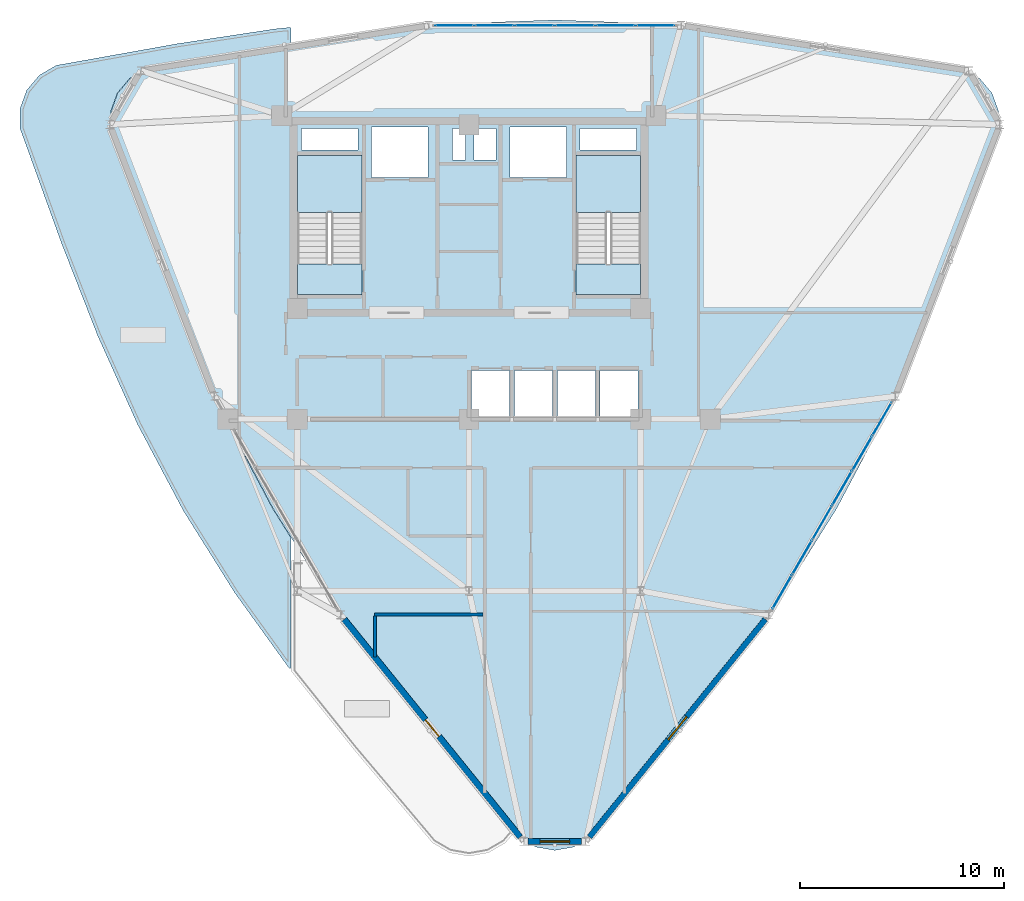
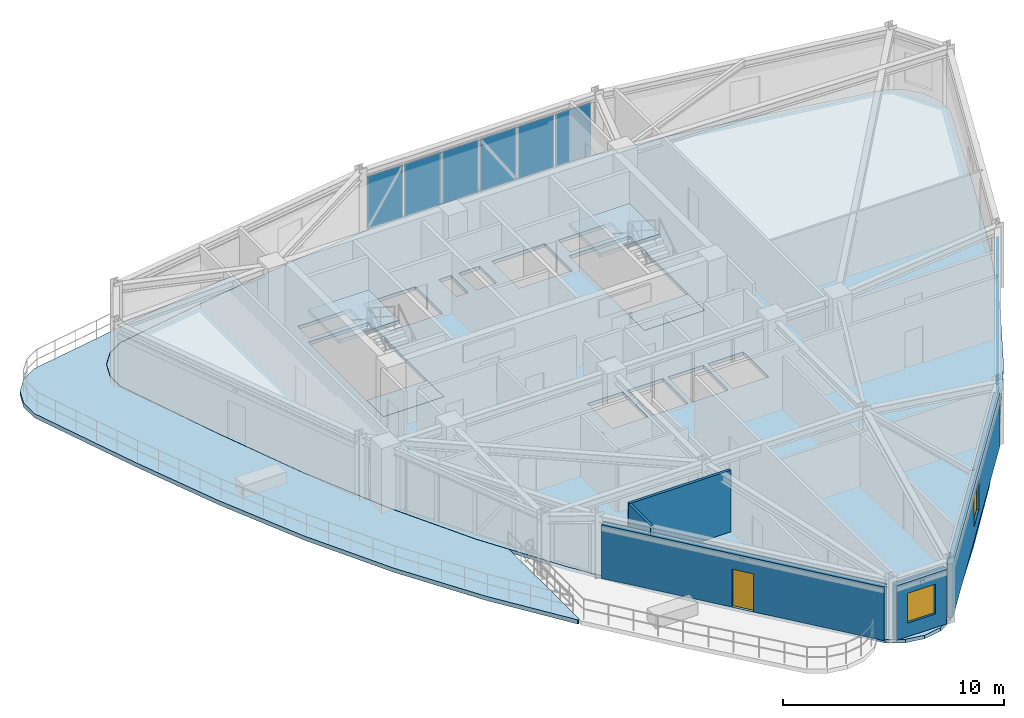
# One storey, part 13 of 19: 12 plates, 6 slabs, 5 walls, 2 windows, 1 door, 3 openings, 4 elements without a shape of their own.
"""IFC4 building model written with IfcOpenShell, lengths in metres."""

from ifc_helpers import new_model, si_unit, derived_unit, direction, frame, frame_2d, origin, origin_2d, place, context, subcontext, project, spatial, polyline, rectangle, outline, extrude, source, transform, mapped, material, layer, layer_set, type_object, element, fill, aggregate, save


model = new_model("IFC4")

# Units and contexts
model_context = context("Model", 3, precision=1e-05, world=origin(), true_north=direction((0.0, 1.0)))
body_context = subcontext(model_context, "Body", "Model", "MODEL_VIEW")
ifc_project = project(units=[si_unit("LENGTHUNIT", "METRE"), si_unit("AREAUNIT", "SQUARE_METRE"), si_unit("VOLUMEUNIT", "CUBIC_METRE"), si_unit("PLANEANGLEUNIT", "RADIAN"), si_unit("MASSUNIT", "GRAM", prefix="KILO"), derived_unit("THERMALTRANSMITTANCEUNIT", [(si_unit("POWERUNIT", "WATT"), 1), (si_unit("LENGTHUNIT", "METRE"), -2), (si_unit("THERMODYNAMICTEMPERATUREUNIT", "KELVIN"), -1)])], contexts=[model_context])

# Site, building, storey
site_placement = place(None, origin())
site = spatial("IfcSite", under=ifc_project, at=site_placement, CompositionType="ELEMENT")
building_placement = place(site_placement, origin())
building = spatial("IfcBuilding", under=site, at=building_placement, Name="Korsvarv Bourse and Concert Hall", CompositionType="ELEMENT")
storey_placement = place(building_placement, frame((0.0, 0.0, 205.800048828125)))
storey = spatial("IfcBuildingStorey", under=building, at=storey_placement, Name="L53", CompositionType="ELEMENT", Elevation=205.800048828125)

# Slabs
ifc_material_1 = material(Name="Precast concrete C45/55", Category="concrete")
ifc_layer_1 = layer(ifc_material_1, 0.199951171875)
ifc_layer_set_1 = layer_set([ifc_layer_1], Name="Precast concrete C45/55")
slab_type_1 = type_object("IfcSlabType", Name="SLB-FLND-T", PredefinedType="LANDING", material=ifc_layer_set_1)
slab_1_placement = place(storey_placement, frame((0.0, 0.0, -0.199951171875)))
element("IfcSlab", 1, at=slab_1_placement, inside=storey, type_object=slab_type_1, Name="L53 Stair ST-T1 Floor Landing Slab", PredefinedType="LANDING", context=body_context, shape_type="SweptSolid", body=[
    extrude(outline(polyline([(30.760009765625, 38.5), (30.760009765625, 40.0), (27.60009765625, 40.0), (27.60009765625, 38.5), (30.760009765625, 38.5)])), origin(), (0.0, 0.0, 1.0), 0.199951171875),
])
slab_2_placement = place(storey_placement, frame((0.0, 0.0, -0.199951171875)))
element("IfcSlab", 2, at=slab_2_placement, inside=storey, type_object=slab_type_1, Name="L53 Stair ST-T2 Floor Landing Slab", PredefinedType="LANDING", context=body_context, shape_type="SweptSolid", body=[
    extrude(outline(polyline([(44.39990234375, 38.5), (44.39990234375, 40.0), (41.239990234375, 40.0), (41.239990234375, 38.5), (44.39990234375, 38.5)])), origin(), (0.0, 0.0, 1.0), 0.199951171875),
])
ifc_material_2 = material(Name="Concrete C45/55", Category="concrete")
ifc_layer_2 = layer(ifc_material_2, 0.22998046875)
ifc_layer_set_2 = layer_set([ifc_layer_2], Name="Concrete C45/55")
slab_type_2 = type_object("IfcSlabType", Name="SLB-SKY", PredefinedType="FLOOR", material=ifc_layer_set_2)
slab_3_placement = place(storey_placement, frame((0.0, 0.0, -0.22998046875)))
element("IfcSlab", 3, at=slab_3_placement, inside=storey, type_object=slab_type_2, Name="L53 Crescent Sky Garden Terrace 1", PredefinedType="FLOOR", context=body_context, shape_type="SweptSolid", body=[
    extrude(outline(polyline([(18.485595703125, 46.5380859375), (18.485595703125, 46.537353515625), (18.85693359375, 45.517333984375), (18.85693359375, 45.51708984375), (18.857666015625, 45.515380859375), (18.857666015625, 45.515380859375), (20.49951171875, 40.973388671875), (20.49951171875, 40.972900390625), (20.49951171875, 40.97265625), (22.2451171875, 36.515625), (22.245361328125, 36.51513671875), (22.24560546875, 36.514404296875), (24.18994140625, 32.192626953125), (24.190185546875, 32.19189453125), (24.190673828125, 32.191162109375), (26.3984375, 28.03271484375), (26.398681640625, 28.031982421875), (26.3994140625, 28.031005859375), (27.291015625, 26.606201171875), (27.293701171875, 26.601318359375), (27.2958984375, 26.59619140625), (27.297607421875, 26.591064453125), (27.299072265625, 26.585693359375), (27.2998046875, 26.580078125), (27.300048828125, 26.574462890625), (27.300048828125, 20.26513671875), (27.2998046875, 20.259521484375), (27.298828125, 20.253662109375), (27.297607421875, 20.248046875), (27.295654296875, 20.242431640625), (27.293212890625, 20.2373046875), (27.290283203125, 20.232421875), (27.28662109375, 20.2275390625), (27.282958984375, 20.22314453125), (27.278564453125, 20.21923828125), (27.27392578125, 20.2158203125), (27.26904296875, 20.212646484375), (27.263916015625, 20.210205078125), (27.25830078125, 20.2080078125), (27.252685546875, 20.20654296875), (27.2470703125, 20.20556640625), (27.2412109375, 20.205078125), (27.235595703125, 20.205322265625), (27.229736328125, 20.2060546875), (27.22412109375, 20.207275390625), (27.218505859375, 20.208984375), (27.21337890625, 20.21142578125), (27.208251953125, 20.21435546875), (27.203369140625, 20.217529296875), (27.198974609375, 20.221435546875), (27.195068359375, 20.2255859375), (27.19140625, 20.22998046875), (24.54443359375, 23.90087890625), (24.54248046875, 23.904296875), (22.023681640625, 27.928466796875), (22.021728515625, 27.93212890625), (19.7958984375, 32.125244140625), (19.794189453125, 32.12890625), (17.83447265625, 36.48779296875), (17.83349609375, 36.490478515625), (16.07421875, 40.986572265625), (16.07373046875, 40.98779296875), (14.419189453125, 45.57080078125), (14.41845703125, 45.5732421875), (14.039794921875, 46.61376953125), (14.0380859375, 46.61865234375), (14.037109375, 46.623779296875), (14.036376953125, 46.62890625), (14.0361328125, 46.63427734375), (14.0361328125, 47.575439453125), (14.036376953125, 47.580810546875), (14.037109375, 47.5859375), (14.0380859375, 47.591064453125), (14.039794921875, 47.595947265625), (14.36181640625, 48.480712890625), (14.364013671875, 48.485595703125), (14.3662109375, 48.490234375), (14.369140625, 48.49462890625), (14.372314453125, 48.498779296875), (14.977294921875, 49.219970703125), (14.98095703125, 49.223876953125), (14.98486328125, 49.227294921875), (14.989013671875, 49.230712890625), (14.993408203125, 49.2333984375), (15.80859375, 49.7041015625), (15.813232421875, 49.70654296875), (15.818115234375, 49.70849609375), (15.822998046875, 49.710205078125), (15.828125, 49.711181640625), (16.91845703125, 49.903564453125), (16.918701171875, 49.903564453125), (16.9208984375, 49.904052734375), (21.71728515625, 50.7626953125), (21.71875, 50.762939453125), (26.491943359375, 51.487548828125), (26.494873046875, 51.488037109375), (27.23388671875, 51.56298828125), (27.23974609375, 51.563232421875), (27.24560546875, 51.56298828125), (27.251708984375, 51.56201171875), (27.25732421875, 51.560791015625), (27.2626953125, 51.55859375), (27.268310546875, 51.55615234375), (27.273193359375, 51.55322265625), (27.278076171875, 51.5498046875), (27.282470703125, 51.545654296875), (27.286376953125, 51.54150390625), (27.289794921875, 51.53662109375), (27.29296875, 51.531494140625), (27.29541015625, 51.526123046875), (27.29736328125, 51.520751953125), (27.298828125, 51.514892578125), (27.2998046875, 51.509033203125), (27.300048828125, 51.503173828125), (27.300048828125, 50.816650390625), (27.2998046875, 50.810546875), (27.298828125, 50.8046875), (27.297119140625, 50.798583984375), (27.295166015625, 50.79296875), (27.29248046875, 50.78759765625), (27.289306640625, 50.782470703125), (27.285400390625, 50.777587890625), (27.28125, 50.773193359375), (27.276611328125, 50.769287109375), (27.271728515625, 50.765625), (27.266357421875, 50.7626953125), (27.2607421875, 50.760498046875), (27.2548828125, 50.758544921875), (27.2490234375, 50.75732421875), (26.04345703125, 50.57470703125), (26.043212890625, 50.57470703125), (26.042724609375, 50.57470703125), (21.288330078125, 49.72509765625), (21.2880859375, 49.72509765625), (21.286376953125, 49.724853515625), (21.2861328125, 49.724853515625), (20.217041015625, 49.536376953125), (20.216552734375, 49.5361328125), (20.215087890625, 49.535888671875), (20.21435546875, 49.53564453125), (20.213134765625, 49.534912109375), (20.212646484375, 49.53466796875), (19.407470703125, 49.06982421875), (19.406982421875, 49.069580078125), (19.40576171875, 49.06884765625), (19.405029296875, 49.068115234375), (19.404296875, 49.067138671875), (19.40380859375, 49.06689453125), (18.80615234375, 48.3544921875), (18.805908203125, 48.35400390625), (18.804931640625, 48.35302734375), (18.804443359375, 48.352294921875), (18.803955078125, 48.35107421875), (18.8037109375, 48.350341796875), (18.485595703125, 47.476806640625), (18.485595703125, 47.47607421875), (18.485107421875, 47.474853515625), (18.485107421875, 47.473876953125), (18.48486328125, 47.47265625), (18.48486328125, 47.471923828125), (18.48486328125, 46.5419921875), (18.48486328125, 46.54150390625), (18.485107421875, 46.540283203125), (18.485107421875, 46.539306640625), (18.485595703125, 46.5380859375)])), origin(), (0.0, 0.0, 1.0), 0.22998046875),
])

# Stair, slab
stair_type = type_object("IfcStairType", Name="STR-TYPE-04", PredefinedType="HALF_TURN_STAIR", material=ifc_material_1)
stair_1_placement = place(storey_placement, origin())
stair_1 = element("IfcStair", 4, at=stair_1_placement, inside=storey, type_object=stair_type, Name="L53 Tower West Exit Stair ST-T1", PredefinedType="HALF_TURN_STAIR")
ifc_layer_3 = layer(ifc_material_1, 0.199951171875)
ifc_layer_set_3 = layer_set([ifc_layer_3], Name="Precast concrete C45/55")
slab_type_3 = type_object("IfcSlabType", Name="SLB-ST-LND", PredefinedType="LANDING", material=ifc_layer_set_3)
slab_4_placement = place(storey_placement, frame((0.0, 0.0, 1.599853515625)))
slab_4 = element("IfcSlab", 5, at=slab_4_placement, type_object=slab_type_3, Name="ST-T1 landing 1", PredefinedType="LANDING", context=body_context, shape_type="SweptSolid", body=[
    extrude(outline(polyline([(30.760009765625, 42.52001953125), (30.760009765625, 45.300048828125), (27.60009765625, 45.300048828125), (27.60009765625, 42.52001953125), (30.760009765625, 42.52001953125)])), origin(), (0.0, 0.0, 1.0), 0.2001953125),
])
aggregate(stair_1, [slab_4])

stair_2_placement = place(storey_placement, origin())
stair_2 = element("IfcStair", 6, at=stair_2_placement, inside=storey, type_object=stair_type, Name="L53 Tower East Exit Stair ST-T2", PredefinedType="HALF_TURN_STAIR")
slab_5_placement = place(storey_placement, frame((0.0, 0.0, 1.599853515625)))
slab_5 = element("IfcSlab", 7, at=slab_5_placement, type_object=slab_type_3, Name="ST-T2 landing 1", PredefinedType="LANDING", context=body_context, shape_type="SweptSolid", body=[
    extrude(outline(polyline([(44.39990234375, 42.52001953125), (44.39990234375, 45.300048828125), (41.239990234375, 45.300048828125), (41.239990234375, 42.52001953125), (44.39990234375, 42.52001953125)])), origin(), (0.0, 0.0, 1.0), 0.2001953125),
])
aggregate(stair_2, [slab_5])

# Slab
ifc_layer_4 = layer(ifc_material_2, 0.18994140625)
ifc_layer_set_4 = layer_set([ifc_layer_4], Name="Concrete C45/55")
slab_type_4 = type_object("IfcSlabType", Name="SLB-TW3", PredefinedType="FLOOR", material=ifc_layer_set_4)
slab_6_placement = place(storey_placement, frame((0.0, 0.0, -0.18994140625)))
element("IfcSlab", 8, at=slab_6_placement, inside=storey, type_object=slab_type_4, Name="L53 tower structural floor slab", PredefinedType="FLOOR", context=body_context, shape_type="SweptSolid", body=[
    extrude(outline(polyline([(61.532958984375, 45.518798828125), (59.89111328125, 40.9765625), (58.1455078125, 36.51904296875), (56.20068359375, 32.1962890625), (53.992431640625, 28.036865234375), (51.49462890625, 24.044921875), (48.723388671875, 20.199462890625), (45.73583984375, 16.458740234375), (42.622802734375, 12.765869140625), (42.62158203125, 12.764404296875), (41.92333984375, 11.93212890625), (41.116943359375, 11.466552734375), (40.199951171875, 11.304931640625), (39.282958984375, 11.466552734375), (38.476806640625, 11.93212890625), (37.7783203125, 12.764404296875), (37.777099609375, 12.765869140625), (34.6640625, 16.458740234375), (31.6767578125, 20.199462890625), (28.905517578125, 24.044921875), (26.407470703125, 28.036865234375), (24.19921875, 32.1962890625), (22.254638671875, 36.51904296875), (20.5087890625, 40.9765625), (18.8671875, 45.518798828125), (18.866455078125, 45.520751953125), (18.494873046875, 46.54150390625), (18.494873046875, 47.47265625), (18.8134765625, 48.34765625), (19.411865234375, 49.060791015625), (20.21826171875, 49.5263671875), (21.2880859375, 49.715087890625), (21.2900390625, 49.71533203125), (26.044677734375, 50.56494140625), (30.77783203125, 51.28173828125), (35.493896484375, 51.759033203125), (40.199951171875, 51.926025390625), (44.90625, 51.759033203125), (49.6220703125, 51.28173828125), (54.355224609375, 50.56494140625), (59.110107421875, 49.71533203125), (59.112060546875, 49.715087890625), (60.181884765625, 49.5263671875), (60.988037109375, 49.060791015625), (61.586669921875, 48.34765625), (61.905029296875, 47.47265625), (61.905029296875, 46.54150390625), (61.53369140625, 45.520751953125), (61.532958984375, 45.518798828125)]), holes=[polyline([(30.760009765625, 38.5), (30.760009765625, 45.300048828125), (27.60009765625, 45.300048828125), (27.60009765625, 38.5), (30.760009765625, 38.5)]), polyline([(44.39990234375, 38.5), (44.39990234375, 45.300048828125), (41.239990234375, 45.300048828125), (41.239990234375, 38.5), (44.39990234375, 38.5)]), polyline([(31.239990234375, 44.219970703125), (34.0, 44.219970703125), (34.0, 46.679931640625), (31.239990234375, 46.679931640625), (31.239990234375, 44.219970703125)]), polyline([(38.0, 44.219970703125), (40.760009765625, 44.219970703125), (40.760009765625, 46.679931640625), (38.0, 46.679931640625), (38.0, 44.219970703125)]), polyline([(36.1201171875, 32.52001953125), (37.97998046875, 32.52001953125), (37.97998046875, 34.780029296875), (36.1201171875, 34.780029296875), (36.1201171875, 32.52001953125)]), polyline([(38.219970703125, 32.52001953125), (40.080078125, 32.52001953125), (40.080078125, 34.780029296875), (38.219970703125, 34.780029296875), (38.219970703125, 32.52001953125)]), polyline([(40.320068359375, 32.52001953125), (42.179931640625, 32.52001953125), (42.179931640625, 34.780029296875), (40.320068359375, 34.780029296875), (40.320068359375, 32.52001953125)]), polyline([(42.419921875, 32.52001953125), (44.280029296875, 32.52001953125), (44.280029296875, 34.780029296875), (42.419921875, 34.780029296875), (42.419921875, 32.52001953125)]), polyline([(27.800048828125, 45.56005859375), (30.56005859375, 45.56005859375), (30.56005859375, 46.6201171875), (27.800048828125, 46.6201171875), (27.800048828125, 45.56005859375)]), polyline([(41.43994140625, 45.56005859375), (44.199951171875, 45.56005859375), (44.199951171875, 46.6201171875), (41.43994140625, 46.6201171875), (41.43994140625, 45.56005859375)]), polyline([(35.199951171875, 45.080078125), (35.840087890625, 45.080078125), (35.840087890625, 46.6201171875), (35.199951171875, 46.6201171875), (35.199951171875, 45.080078125)]), polyline([(36.239990234375, 45.080078125), (37.320068359375, 45.080078125), (37.320068359375, 46.6201171875), (36.239990234375, 46.6201171875), (36.239990234375, 45.080078125)])]), origin(), (0.0, 0.0, 1.0), 0.18994140625),
])

# Curtain wall, plates
ifc_material_3 = material(Name="Anodised aluminium and triple low-E glazing", Category="glass")
ifc_layer_5 = layer(ifc_material_3, 0.199951171875)
ifc_layer_set_5 = layer_set([ifc_layer_5], Name="Anodised aluminium and triple low-E glazing")
curtain_wall_type = type_object("IfcCurtainWallType", Name="CW-SYS-3", PredefinedType="NOTDEFINED", material=ifc_layer_set_5)
curtain_wall_1_placement = place(storey_placement, origin())
curtain_wall_1 = element("IfcCurtainWall", 9, at=curtain_wall_1_placement, inside=storey, type_object=curtain_wall_type, Name="L53 CW3 curtain wall CW-L53-F03", PredefinedType="NOTDEFINED")
ifc_material_4 = material(Name="Tempered triple insulated low-E architectural glass", Category="glass")
ifc_layer_6 = layer(ifc_material_4, 0.0380859375)
ifc_layer_set_6 = layer_set([ifc_layer_6], Name="Tempered triple insulated low-E architectural glass")
plate_type_1 = type_object("IfcPlateType", Name="CWP-VIS2", PredefinedType="CURTAIN_PANEL", material=ifc_layer_set_6)
shared_shape_1 = source(origin(), body_context, "Body", "SweptSolid", [
    extrude(rectangle(XDim=1.86962890625, YDim=0.0380859375, at=origin_2d()), origin(), (0.0, 0.0, 1.0), 2.889892578125),
])
plate_1_placement = place(storey_placement, frame((45.118896484375, 51.66162109375, 0.06494140625), z_axis=(0.0, 0.0, 1.0), x_axis=(-1.0, 0.0, 0.0)))
plate_1 = element("IfcPlate", 10, at=plate_1_placement, type_object=plate_type_1, Name="CW3 faceted panel 1.1", PredefinedType="CURTAIN_PANEL", context=body_context, shape_type="MappedRepresentation", body=[
    mapped(shared_shape_1, transform((0.0, 0.0, 0.0), scale=1.0)),
])
shared_shape_2 = source(origin(), body_context, "Body", "SweptSolid", [
    extrude(rectangle(XDim=1.904541015625, YDim=0.0380859375, at=origin_2d()), origin(), (0.0, 0.0, 1.0), 2.889892578125),
])
plate_2_placement = place(storey_placement, frame((43.161865234375, 51.66162109375, 0.06494140625), z_axis=(0.0, 0.0, 1.0), x_axis=(-1.0, 0.0, 0.0)))
plate_2 = element("IfcPlate", 11, at=plate_2_placement, type_object=plate_type_1, Name="CW3 faceted panel 2.1", PredefinedType="CURTAIN_PANEL", context=body_context, shape_type="MappedRepresentation", body=[
    mapped(shared_shape_2, transform((0.0, 0.0, 0.0), scale=1.0)),
])
plate_3_placement = place(storey_placement, frame((39.212646484375, 51.66162109375, 0.06494140625), z_axis=(0.0, 0.0, 1.0), x_axis=(-1.0, 0.0, 0.0)))
plate_3 = element("IfcPlate", 12, at=plate_3_placement, type_object=plate_type_1, Name="CW3 faceted panel 4.1", PredefinedType="CURTAIN_PANEL", context=body_context, shape_type="MappedRepresentation", body=[
    mapped(shared_shape_2, transform((0.0, 0.0, 0.0), scale=1.0)),
])
plate_4_placement = place(storey_placement, frame((37.238037109375, 51.66162109375, 0.06494140625), z_axis=(0.0, 0.0, 1.0), x_axis=(-1.0, 0.0, 0.0)))
plate_4 = element("IfcPlate", 13, at=plate_4_placement, type_object=plate_type_1, Name="CW3 faceted panel 5.1", PredefinedType="CURTAIN_PANEL", context=body_context, shape_type="MappedRepresentation", body=[
    mapped(shared_shape_2, transform((0.0, 0.0, 0.0), scale=1.0)),
])
ifc_material_5 = material(Name="Insulated spandrel glass", Category="glass")
ifc_layer_7 = layer(ifc_material_5, 0.031982421875)
ifc_layer_set_7 = layer_set([ifc_layer_7], Name="Insulated spandrel glass")
plate_type_2 = type_object("IfcPlateType", Name="CWP-SPD1", PredefinedType="CURTAIN_PANEL", material=ifc_layer_set_7)
shared_shape_3 = source(origin(), body_context, "Body", "SweptSolid", [
    extrude(rectangle(XDim=1.904541015625, YDim=0.031982421875, at=origin_2d()), origin(), (0.0, 0.0, 1.0), 2.889892578125),
])
plate_5_placement = place(storey_placement, frame((41.187255859375, 51.66162109375, 0.06494140625), z_axis=(0.0, 0.0, 1.0), x_axis=(-1.0, 0.0, 0.0)))
plate_5 = element("IfcPlate", 14, at=plate_5_placement, type_object=plate_type_2, Name="CW3 spandrel shadow-box panel 3.1", PredefinedType="CURTAIN_PANEL", context=body_context, shape_type="MappedRepresentation", body=[
    mapped(shared_shape_3, transform((0.0, 0.0, 0.0), scale=1.0)),
])
shared_shape_4 = source(origin(), body_context, "Body", "SweptSolid", [
    extrude(rectangle(XDim=1.86962890625, YDim=0.031982421875, at=origin_2d()), origin(), (0.0, 0.0, 1.0), 2.889892578125),
])
plate_6_placement = place(storey_placement, frame((35.281005859375, 51.66162109375, 0.06494140625), z_axis=(0.0, 0.0, 1.0), x_axis=(-1.0, 0.0, 0.0)))
plate_6 = element("IfcPlate", 15, at=plate_6_placement, type_object=plate_type_2, Name="CW3 spandrel shadow-box panel 6.1", PredefinedType="CURTAIN_PANEL", context=body_context, shape_type="MappedRepresentation", body=[
    mapped(shared_shape_4, transform((0.0, 0.0, 0.0), scale=1.0)),
])
aggregate(curtain_wall_1, [plate_1, plate_2, plate_5, plate_3, plate_4, plate_6])

curtain_wall_2_placement = place(storey_placement, origin())
curtain_wall_2 = element("IfcCurtainWall", 16, at=curtain_wall_2_placement, inside=storey, type_object=curtain_wall_type, Name="L53 CW3 curtain wall CW-L53-F11", PredefinedType="NOTDEFINED")
shared_shape_5 = source(origin(), body_context, "Body", "SweptSolid", [
    extrude(rectangle(XDim=1.8544921875, YDim=0.0380859375, at=origin_2d()), origin(), (0.0, 0.0, 1.0), 2.889892578125),
])
plate_7_placement = place(storey_placement, frame((51.32275390625, 23.941650390625, 0.06494140625), z_axis=(0.0, 0.0, 1.0), x_axis=(0.499996577961, 0.86602737949, 0.0)))
plate_7 = element("IfcPlate", 17, at=plate_7_placement, type_object=plate_type_1, Name="CW3 faceted panel 1.1", PredefinedType="CURTAIN_PANEL", context=body_context, shape_type="MappedRepresentation", body=[
    mapped(shared_shape_5, transform((0.0, 0.0, 0.0), scale=1.0)),
])
shared_shape_6 = source(origin(), body_context, "Body", "SweptSolid", [
    extrude(rectangle(XDim=1.8896484375, YDim=0.0380859375, at=origin_2d()), origin(), (0.0, 0.0, 1.0), 2.889892578125),
])
plate_8_placement = place(storey_placement, frame((52.293701171875, 25.62353515625, 0.06494140625), z_axis=(0.0, 0.0, 1.0), x_axis=(0.499996577961, 0.86602737949, 0.0)))
plate_8 = element("IfcPlate", 18, at=plate_8_placement, type_object=plate_type_1, Name="CW3 faceted panel 2.1", PredefinedType="CURTAIN_PANEL", context=body_context, shape_type="MappedRepresentation", body=[
    mapped(shared_shape_6, transform((0.0, 0.0, 0.0), scale=1.0)),
])
plate_9_placement = place(storey_placement, frame((54.25341796875, 29.017578125, 0.06494140625), z_axis=(0.0, 0.0, 1.0), x_axis=(0.499996577961, 0.86602737949, 0.0)))
plate_9 = element("IfcPlate", 19, at=plate_9_placement, type_object=plate_type_1, Name="CW3 faceted panel 4.1", PredefinedType="CURTAIN_PANEL", context=body_context, shape_type="MappedRepresentation", body=[
    mapped(shared_shape_6, transform((0.0, 0.0, 0.0), scale=1.0)),
])
plate_10_placement = place(storey_placement, frame((55.233154296875, 30.71484375, 0.06494140625), z_axis=(0.0, 0.0, 1.0), x_axis=(0.499996577961, 0.86602737949, 0.0)))
plate_10 = element("IfcPlate", 20, at=plate_10_placement, type_object=plate_type_1, Name="CW3 faceted panel 5.1", PredefinedType="CURTAIN_PANEL", context=body_context, shape_type="MappedRepresentation", body=[
    mapped(shared_shape_6, transform((0.0, 0.0, 0.0), scale=1.0)),
])
shared_shape_7 = source(origin(), body_context, "Body", "SweptSolid", [
    extrude(rectangle(XDim=1.8896484375, YDim=0.031982421875, at=origin_2d()), origin(), (0.0, 0.0, 1.0), 2.889892578125),
])
plate_11_placement = place(storey_placement, frame((53.2734375, 27.320556640625, 0.06494140625), z_axis=(0.0, 0.0, 1.0), x_axis=(0.499996577961, 0.86602737949, 0.0)))
plate_11 = element("IfcPlate", 21, at=plate_11_placement, type_object=plate_type_2, Name="CW3 spandrel shadow-box panel 3.1", PredefinedType="CURTAIN_PANEL", context=body_context, shape_type="MappedRepresentation", body=[
    mapped(shared_shape_7, transform((0.0, 0.0, 0.0), scale=1.0)),
])
shared_shape_8 = source(origin(), body_context, "Body", "SweptSolid", [
    extrude(rectangle(XDim=1.8544921875, YDim=0.031982421875, at=origin_2d()), origin(), (0.0, 0.0, 1.0), 2.889892578125),
])
plate_12_placement = place(storey_placement, frame((56.2041015625, 32.396728515625, 0.06494140625), z_axis=(0.0, 0.0, 1.0), x_axis=(0.499996577961, 0.86602737949, 0.0)))
plate_12 = element("IfcPlate", 22, at=plate_12_placement, type_object=plate_type_2, Name="CW3 spandrel shadow-box panel 6.1", PredefinedType="CURTAIN_PANEL", context=body_context, shape_type="MappedRepresentation", body=[
    mapped(shared_shape_8, transform((0.0, 0.0, 0.0), scale=1.0)),
])
aggregate(curtain_wall_2, [plate_7, plate_8, plate_11, plate_9, plate_10, plate_12])

# Wall, opening, door
ifc_material_6 = material(Name="Precast concrete C45/55 with terracotta rainscreen", Category="concrete")
ifc_layer_8 = layer(ifc_material_6, 0.300048828125)
ifc_layer_set_8 = layer_set([ifc_layer_8], Name="Precast concrete C45/55 with terracotta rainscreen")
wall_type_1 = type_object("IfcWallType", Name="WL-EXT-TC1", PredefinedType="SOLIDWALL", material=ifc_layer_set_8)
wall_1_placement = place(storey_placement, frame((29.89697265625, 22.60693359375, 0.0), z_axis=(0.0, 0.0, 1.0), x_axis=(0.628534993718, -0.777781307098, 0.0)))
wall_1 = element("IfcWall", 23, at=wall_1_placement, inside=storey, type_object=wall_type_1, Name="L53 terracotta exterior wall EW-L53-B08", PredefinedType="SOLIDWALL", context=body_context, shape_type="SweptSolid", body=[
    extrude(rectangle(XDim=13.69677734375, YDim=0.300048828125, at=frame_2d((6.848388671875, 0.0))), origin(), (0.0, 0.0, 1.0), 2.9599609375),
])
opening_1_placement = place(wall_1_placement, frame((6.323486328125, 0.0, 0.0)))
opening_1 = element("IfcOpeningElement", 24, at=opening_1_placement, cuts=wall_1, Name="Opening ED-02", PredefinedType="OPENING", context=body_context, shape_type="SweptSolid", body=[
    extrude(rectangle(XDim=1.050048828125, YDim=2.10009765625, at=frame_2d((0.52490234375, 1.050048828125))), frame((0.0, 0.16015625, 0.0), z_axis=(0.0, -1.0, 0.0), x_axis=(1.0, 0.0, 0.0)), (0.0, 0.0, 1.0), 0.320068359375),
])
ifc_material_7 = material(Name="Thermally broken anodised aluminium and laminated safety glass", Category="aluminium")
door_type = type_object("IfcDoorType", Name="DR-EXT-TERR", OperationType="NOTDEFINED", PredefinedType="DOOR", material=ifc_material_7)
door_placement = place(opening_1_placement, frame((1.050048828125, 0.0, 0.0), z_axis=(0.0, 0.0, 1.0), x_axis=(-1.0, 0.0, 0.0)))
door = element("IfcDoor", 25, at=door_placement, inside=storey, type_object=door_type, Name="L53 Sky Garden Terrace Access Door", OperationType="SINGLE_SWING_LEFT", OverallHeight=2.10009765625, OverallWidth=1.050048828125, PredefinedType="DOOR", context=body_context, shape_type="SweptSolid", body=[
    extrude(rectangle(XDim=1.050048828125, YDim=2.10009765625, at=frame_2d((0.52490234375, 1.050048828125))), frame((0.0, 0.02490234375, 0.0), z_axis=(0.0, -1.0, 0.0), x_axis=(1.0, 0.0, 0.0)), (0.0, 0.0, 1.0), 0.050048828125),
])
fill(opening_1, door)

# Wall, opening, window
wall_2_placement = place(storey_placement, frame((38.885986328125, 11.74072265625, 0.0), z_axis=(0.0, 0.0, 1.0), x_axis=(1.0, 0.0, 0.0)))
wall_2 = element("IfcWall", 26, at=wall_2_placement, inside=storey, type_object=wall_type_1, Name="L53 terracotta exterior wall EW-L53-B09", PredefinedType="SOLIDWALL", context=body_context, shape_type="SweptSolid", body=[
    extrude(rectangle(XDim=2.628173828125, YDim=0.300048828125, at=frame_2d((1.31396484375, 0.0))), origin(), (0.0, 0.0, 1.0), 3.02001953125),
])
opening_2_placement = place(wall_2_placement, frame((0.589111328125, 0.0, 0.75)))
opening_2 = element("IfcOpeningElement", 27, at=opening_2_placement, cuts=wall_2, Name="Opening W-02", PredefinedType="OPENING", context=body_context, shape_type="SweptSolid", body=[
    extrude(rectangle(XDim=1.449951171875, YDim=1.64990234375, at=frame_2d((0.72509765625, 0.824951171875))), frame((0.0, 0.16015625, 0.0), z_axis=(0.0, -1.0, 0.0), x_axis=(1.0, 0.0, 0.0)), (0.0, 0.0, 1.0), 0.320068359375),
])
ifc_material_8 = material(Name="Thermally broken aluminium frame with triple low-E glass", Category="glass")
window_type = type_object("IfcWindowType", Name="WIN-TW2", PartitioningType="SINGLE_PANEL", PredefinedType="WINDOW", material=ifc_material_8)
window_1_placement = place(opening_2_placement, origin())
window_1 = element("IfcWindow", 28, at=window_1_placement, inside=storey, type_object=window_type, Name="L53 punched facade window W-02", OverallHeight=1.64990234375, OverallWidth=1.449951171875, PartitioningType="SINGLE_PANEL", PredefinedType="WINDOW", context=body_context, shape_type="SweptSolid", body=[
    extrude(rectangle(XDim=1.449951171875, YDim=1.64990234375, at=frame_2d((0.72509765625, 0.824951171875))), frame((0.0, 0.030029296875, 0.0), z_axis=(0.0, -1.0, 0.0), x_axis=(1.0, 0.0, 0.0)), (0.0, 0.0, 1.0), 0.06005859375),
])
fill(opening_2, window_1)

ifc_material_9 = material(Name="Precast concrete C45/55 with fluted terracotta pier", Category="concrete")
ifc_layer_9 = layer(ifc_material_9, 0.280029296875)
ifc_layer_set_9 = layer_set([ifc_layer_9], Name="Precast concrete C45/55 with fluted terracotta pier")
wall_type_2 = type_object("IfcWallType", Name="WL-EXT-TC2", PredefinedType="SOLIDWALL", material=ifc_layer_set_9)
wall_3_placement = place(storey_placement, frame((41.894287109375, 11.953857421875, 0.0), z_axis=(0.0, 0.0, 1.0), x_axis=(0.628524210589, 0.777790020959, 0.0)))
wall_3 = element("IfcWall", 29, at=wall_3_placement, inside=storey, type_object=wall_type_2, Name="L53 terracotta exterior wall EW-L53-B10", PredefinedType="SOLIDWALL", context=body_context, shape_type="SweptSolid", body=[
    extrude(rectangle(XDim=13.696533203125, YDim=0.280029296875, at=frame_2d((6.84814453125, 0.0))), origin(), (0.0, 0.0, 1.0), 2.9599609375),
])
opening_3_placement = place(wall_3_placement, frame((6.123291015625, 0.0, 0.75)))
opening_3 = element("IfcOpeningElement", 30, at=opening_3_placement, cuts=wall_3, Name="Opening W-02", PredefinedType="OPENING", context=body_context, shape_type="SweptSolid", body=[
    extrude(rectangle(XDim=1.449951171875, YDim=1.64990234375, at=frame_2d((0.72509765625, 0.824951171875))), frame((0.0, 0.14990234375, 0.0), z_axis=(0.0, -1.0, 0.0), x_axis=(1.0, 0.0, 0.0)), (0.0, 0.0, 1.0), 0.300048828125),
])
window_2_placement = place(opening_3_placement, origin())
window_2 = element("IfcWindow", 31, at=window_2_placement, inside=storey, type_object=window_type, Name="L53 punched facade window W-02", OverallHeight=1.64990234375, OverallWidth=1.449951171875, PartitioningType="SINGLE_PANEL", PredefinedType="WINDOW", context=body_context, shape_type="SweptSolid", body=[
    extrude(rectangle(XDim=1.449951171875, YDim=1.64990234375, at=frame_2d((0.72509765625, 0.824951171875))), frame((0.0, 0.030029296875, 0.0), z_axis=(0.0, -1.0, 0.0), x_axis=(1.0, 0.0, 0.0)), (0.0, 0.0, 1.0), 0.06005859375),
])
fill(opening_3, window_2)

# Walls
ifc_material_10 = material(Name="Insulated steel-stud office acoustic partition", Category="gypsum")
ifc_layer_10 = layer(ifc_material_10, 0.139892578125)
ifc_layer_set_10 = layer_set([ifc_layer_10], Name="Insulated steel-stud office acoustic partition")
wall_type_3 = type_object("IfcWallType", Name="WL-INT-P1", PredefinedType="PARTITIONING", material=ifc_layer_set_10)
wall_4_placement = place(storey_placement, frame((31.389892578125, 22.8349609375, 0.0), z_axis=(0.0, 0.0, 1.0), x_axis=(1.0, 0.0, 0.0)))
element("IfcWall", 32, at=wall_4_placement, inside=storey, type_object=wall_type_3, Name="L53 interior partition wall W-L53-TCOR-14", PredefinedType="PARTITIONING", context=body_context, shape_type="SweptSolid", body=[
    extrude(rectangle(XDim=5.30322265625, YDim=0.139892578125, at=frame_2d((2.651611328125, 0.0))), origin(), (0.0, 0.0, 1.0), 3.409912109375),
])
wall_5_placement = place(storey_placement, frame((31.405029296875, 20.760986328125, 0.0), z_axis=(0.0, 0.0, 1.0), x_axis=(0.0, 1.0, 0.0)))
element("IfcWall", 33, at=wall_5_placement, inside=storey, type_object=wall_type_3, Name="L53 interior partition wall W-L53-TCOR-17", PredefinedType="PARTITIONING", context=body_context, shape_type="SweptSolid", body=[
    extrude(rectangle(XDim=2.001953125, YDim=0.139892578125, at=frame_2d((1.0009765625, 0.0))), origin(), (0.0, 0.0, 1.0), 3.409912109375),
])

save(model, "model.ifc")
